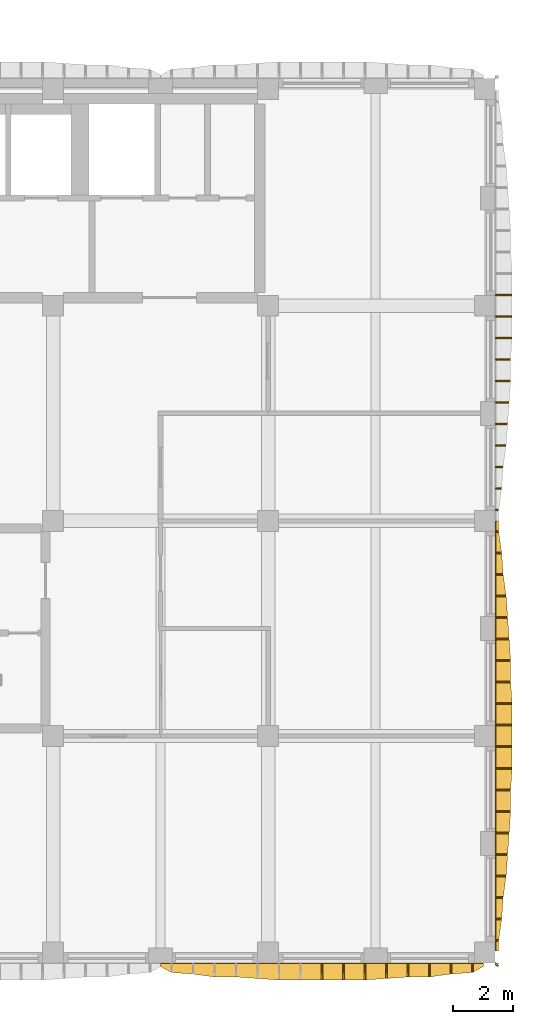
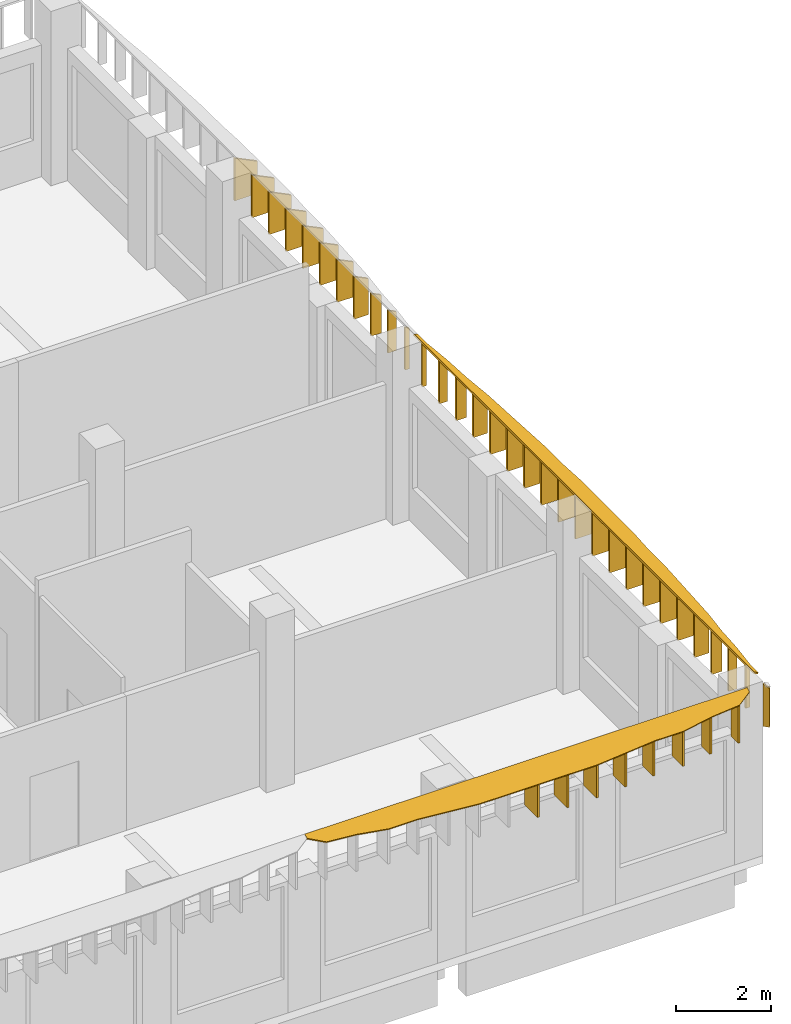
# One storey, part 22 of 38: 42 shading devices.
"""IFC4 building model written with IfcOpenShell, lengths in metres."""

import ifcopenshell
import ifcopenshell.guid

model = None  # the IFC model being written
_history = None  # IfcOwnerHistory: only IFC2X3 demands one
_inside = {}  # id of a spatial element -> (the spatial element, [elements in it])
_under = {}  # id of a project, library or spatial element -> (it, [spatial elements below it])
_declared = {}  # id of a project -> (the project, [libraries it declares])
_typed = {}  # id of a type object -> (the type object, [elements of that type])
_made_of = {}  # id of a material, layer set ... -> (it, [elements and type objects made of it])


def new_model(schema):
    """Start an empty IFC model of exactly this schema.

    Asked for "IFC4X3", IfcOpenShell would pick the latest addendum, in which some entities
    have other attributes; the version numbers below select the first issue.
    IFC2X3 requires an IfcOwnerHistory on every rooted entity: one is made here for all.
    """
    global model, _history
    if schema == "IFC4X3":
        model = ifcopenshell.file(schema_version=(4, 3, 0, 0))
    else:
        model = ifcopenshell.file(schema=schema)
    _inside.clear()
    _under.clear()
    _declared.clear()
    _typed.clear()
    _made_of.clear()
    _history = None
    if model.schema == "IFC2X3":
        org = make("IfcOrganization", Name="unknown")
        user = make(
            "IfcPersonAndOrganization",
            ThePerson=make("IfcPerson", FamilyName="unknown"),
            TheOrganization=org,
        )
        app = make(
            "IfcApplication",
            ApplicationDeveloper=org,
            Version="unknown",
            ApplicationFullName="unknown",
            ApplicationIdentifier="unknown",
        )
        _history = make(
            "IfcOwnerHistory",
            OwningUser=user,
            OwningApplication=app,
            ChangeAction="ADDED",
            CreationDate=0,
        )
    return model


def make(cls, **values):
    """One entity of the class cls with the attributes given. An attribute that is None is left unset."""
    return model.create_entity(
        cls, **{name: value for name, value in values.items() if value is not None}
    )


def rooted(cls, **values):
    """An entity with a GlobalId (a new one), such as an element, a storey or a relation."""
    return make(cls, GlobalId=ifcopenshell.guid.new(), OwnerHistory=_history, **values)


def si_unit(unit_type, name, prefix=None):
    """IfcSIUnit, for example si_unit("LENGTHUNIT", "METRE", prefix="MILLI")."""
    return make("IfcSIUnit", UnitType=unit_type, Prefix=prefix, Name=name)


def assignment(units):
    """IfcUnitAssignment: the units of a project."""
    return None if units is None else make("IfcUnitAssignment", Units=units)


def point(xyz):
    """IfcCartesianPoint."""
    return None if xyz is None else make("IfcCartesianPoint", Coordinates=xyz)


def direction(xyz):
    """IfcDirection."""
    return None if xyz is None else make("IfcDirection", DirectionRatios=xyz)


def frame(location, z_axis=None, x_axis=None):
    """IfcAxis2Placement3D, a coordinate frame: its origin and axes. An axis left out is left unset."""
    return make(
        "IfcAxis2Placement3D",
        Location=point(location),
        Axis=direction(z_axis),
        RefDirection=direction(x_axis),
    )


def origin():
    """The frame at (0, 0, 0) with its axes left unset."""
    return frame((0.0, 0.0, 0.0))


def place(relative_to, where):
    """IfcLocalPlacement: puts the frame where relative to a parent placement (None: the world)."""
    return make(
        "IfcLocalPlacement", PlacementRelTo=relative_to, RelativePlacement=where
    )


def context(
    kind, dimensions, precision=None, world=None, true_north=None, identifier=None
):
    """IfcGeometricRepresentationContext, for example the 3D "Model" context."""
    return make(
        "IfcGeometricRepresentationContext",
        ContextIdentifier=identifier,
        ContextType=kind,
        CoordinateSpaceDimension=dimensions,
        Precision=precision,
        WorldCoordinateSystem=world,
        TrueNorth=true_north,
    )


def subcontext(parent, identifier, kind, view, scale=None):
    """IfcGeometricRepresentationSubContext, for example "Body" below "Model"."""
    return make(
        "IfcGeometricRepresentationSubContext",
        ContextIdentifier=identifier,
        ContextType=kind,
        ParentContext=parent,
        TargetScale=scale,
        TargetView=view,
    )


def project(units=None, contexts=None):
    """IfcProject with its units and contexts."""
    return rooted(
        "IfcProject",
        Name="project",
        RepresentationContexts=contexts,
        UnitsInContext=assignment(units),
    )


def spatial(cls, under=None, at=None, **own):
    """A site, building, storey or space (cls), placed at a placement, below another one or the project."""
    s = rooted(cls, ObjectPlacement=at, **own)
    if under is not None:
        _under.setdefault(under.id(), (under, []))[1].append(s)
    return s


def polyline(points):
    """IfcPolyline through the points."""
    return make("IfcPolyline", Points=[point(p) for p in points])


def outline(outer, holes=None, kind="AREA"):
    """IfcArbitraryClosedProfileDef: a profile drawn as a closed curve; with holes, ...WithVoids."""
    if holes is None:
        return make("IfcArbitraryClosedProfileDef", ProfileType=kind, OuterCurve=outer)
    return make(
        "IfcArbitraryProfileDefWithVoids",
        ProfileType=kind,
        OuterCurve=outer,
        InnerCurves=holes,
    )


def extrude(swept, where, along, depth):
    """IfcExtrudedAreaSolid: the profile swept, set in the frame where, extruded along a direction by depth."""
    return make(
        "IfcExtrudedAreaSolid",
        SweptArea=swept,
        Position=where,
        ExtrudedDirection=direction(along),
        Depth=depth,
    )


def shape(context_of_items, identifier, shape_type, items):
    """IfcShapeRepresentation: the items that make up one representation, for example the "Body"."""
    return make(
        "IfcShapeRepresentation",
        ContextOfItems=context_of_items,
        RepresentationIdentifier=identifier,
        RepresentationType=shape_type,
        Items=items,
    )


def material(Name=None, Category=None):
    """IfcMaterial."""
    return make("IfcMaterial", Name=Name, Category=Category)


def layer(
    of_material, thickness, ventilated=None, Name=None, Category=None, Priority=None
):
    """IfcMaterialLayer: one layer of a wall or slab, of a material (None: an air gap)."""
    return make(
        "IfcMaterialLayer",
        Material=of_material,
        LayerThickness=thickness,
        IsVentilated=ventilated,
        Name=Name,
        Category=Category,
        Priority=Priority,
    )


def layer_set(layers, Name=None):
    """IfcMaterialLayerSet."""
    return make("IfcMaterialLayerSet", MaterialLayers=layers, LayerSetName=Name)


def made_of(thing, what):
    """Note that an element or type object is made of a material, layer set ...; save() writes the relation."""
    if what is not None:
        _made_of.setdefault(what.id(), (what, []))[1].append(thing)
    return thing


def type_object(cls, material=None, **own):
    """A type object (cls), such as IfcWallType, which elements share."""
    return made_of(rooted(cls, **own), material)


def element(
    cls,
    number,
    at=None,
    inside=None,
    cuts=None,
    type_object=None,
    material=None,
    context=None,
    identifier="Body",
    shape_type=None,
    held_by="IfcProductDefinitionShape",
    body=None,
    shapes=None,
    **own,
):
    """One element of the class cls, such as IfcWall. Its Tag is "e" and its number.

    at: its placement. inside: the storey or other place that contains it. cuts: it is an
    opening in that element (IfcRelVoidsElement). A single representation is given by context,
    identifier, shape_type and body (its items); several are given by shapes. held_by: the class
    of the entity that holds the representations. save() writes the other relations.
    """
    e = rooted(cls, Tag="e%d" % number, ObjectPlacement=at, **own)
    if body is not None:
        shapes = [shape(context, identifier, shape_type, body)]
    if shapes is not None:
        e.Representation = make(held_by, Representations=shapes)
    if inside is not None:
        _inside.setdefault(inside.id(), (inside, []))[1].append(e)
    if cuts is not None:
        rooted(
            "IfcRelVoidsElement", RelatingBuildingElement=cuts, RelatedOpeningElement=e
        )
    if type_object is not None:
        _typed.setdefault(type_object.id(), (type_object, []))[1].append(e)
    return made_of(e, material)


def aggregate(whole, parts):
    """IfcRelAggregates: a whole, such as a stair, and the parts it consists of."""
    return rooted("IfcRelAggregates", RelatingObject=whole, RelatedObjects=parts)


def save(model, path):
    """Write the relations noted so far, then the file.

    IfcRelAggregates (storeys below a building ...), IfcRelContainedInSpatialStructure (elements
    in a storey), IfcRelDefinesByType, IfcRelAssociatesMaterial and IfcRelDeclares: one each for
    every whole, place, type object, material and project.
    """
    for whole, parts in _under.values():
        aggregate(whole, parts)
    for where, things in _inside.values():
        rooted(
            "IfcRelContainedInSpatialStructure",
            RelatedElements=things,
            RelatingStructure=where,
        )
    for kind, things in _typed.values():
        rooted("IfcRelDefinesByType", RelatedObjects=things, RelatingType=kind)
    for what, things in _made_of.values():
        rooted("IfcRelAssociatesMaterial", RelatedObjects=things, RelatingMaterial=what)
    for by, libraries in _declared.values():
        rooted("IfcRelDeclares", RelatingContext=by, RelatedDefinitions=libraries)
    model.write(path)


model = new_model("IFC4")

# Units and contexts
model_context = context("Model", 3, precision=1e-05, world=origin(), true_north=direction((0.0, 1.0)))
body_context = subcontext(model_context, "Body", "Model", "MODEL_VIEW")
ifc_project = project(units=[si_unit("LENGTHUNIT", "METRE"), si_unit("AREAUNIT", "SQUARE_METRE"), si_unit("VOLUMEUNIT", "CUBIC_METRE"), si_unit("PLANEANGLEUNIT", "RADIAN"), si_unit("MASSUNIT", "GRAM", prefix="KILO")], contexts=[model_context])

# Site, building, storey
site_placement = place(None, origin())
site = spatial("IfcSite", under=ifc_project, at=site_placement, CompositionType="ELEMENT")
building_placement = place(site_placement, origin())
building = spatial("IfcBuilding", under=site, at=building_placement, Name="Ussher Court Research Institute", CompositionType="ELEMENT")
storey_placement = place(building_placement, frame((0.0, 0.0, 23.39990234375)))
storey = spatial("IfcBuildingStorey", under=building, at=storey_placement, Name="L05", CompositionType="ELEMENT", Elevation=23.39990234375)

# Shading devices
ifc_material_1 = material(Name="Bronze anodised aluminium", Category="aluminium")
ifc_layer_1 = layer(ifc_material_1, 0.050048828125)
ifc_layer_set_1 = layer_set([ifc_layer_1], Name="Bronze anodised aluminium")
shading_device_type_1 = type_object("IfcShadingDeviceType", Name="Brim blade 100 mm deep 1100 mm high canted 26 deg wet", PredefinedType="USERDEFINED", material=ifc_layer_set_1)
for number, where, z_axis, x_axis, name in (
    (1, (104.199951171875, 18.760009765625, 3.35009765625), (0.0, 0.0, 1.0), (1.0, 0.0, 0.0), "Brim blade BS10 L05"),
    (2, (104.199951171875, 18.0400390625, 3.35009765625), (0.0, 0.0, 1.0), (1.0, 0.0, 0.0), "Brim blade BS10 L05"),
    (3, (104.199951171875, 4.360107421875, 3.35009765625), (0.0, 0.0, 1.0), (1.0, 0.0, 0.0), "Brim blade BS10 L05"),
):
    element("IfcShadingDevice", number, at=place(storey_placement, frame(where, z_axis=z_axis, x_axis=x_axis)), inside=storey, type_object=shading_device_type_1, Name=name, ObjectType="BLADE", PredefinedType="USERDEFINED", context=body_context, shape_type="SweptSolid", body=[
        extrude(outline(polyline([(0.0, 0.0), (0.10009765625, 0.0), (0.10009765625, 1.05126953125), (0.0, 1.10009765625), (0.0, 0.0)])), frame((0.0, 0.02490234375, 0.0), z_axis=(0.0, -1.0, 0.0), x_axis=(1.0, 0.0, 0.0)), (0.0, 0.0, 1.0), 0.050048828125),
    ])
ifc_material_2 = material(Name="Bronze anodised aluminium", Category="aluminium")
ifc_layer_2 = layer(ifc_material_2, 0.050048828125)
ifc_layer_set_2 = layer_set([ifc_layer_2], Name="Bronze anodised aluminium")
shading_device_type_2 = type_object("IfcShadingDeviceType", Name="Brim blade 200 mm deep 1100 mm high canted 26 deg wet", PredefinedType="USERDEFINED", material=ifc_layer_set_2)
for number, where, z_axis, x_axis, name in (
    (4, (104.199951171875, 19.47998046875, 3.35009765625), (0.0, 0.0, 1.0), (1.0, 0.0, 0.0), "Brim blade BS08 L05"),
    (5, (104.199951171875, 17.320068359375, 3.35009765625), (0.0, 0.0, 1.0), (1.0, 0.0, 0.0), "Brim blade BS08 L05"),
    (6, (104.199951171875, 5.080078125, 3.35009765625), (0.0, 0.0, 1.0), (1.0, 0.0, 0.0), "Brim blade BS08 L05"),
):
    element("IfcShadingDevice", number, at=place(storey_placement, frame(where, z_axis=z_axis, x_axis=x_axis)), inside=storey, type_object=shading_device_type_2, Name=name, ObjectType="BLADE", PredefinedType="USERDEFINED", context=body_context, shape_type="SweptSolid", body=[
        extrude(outline(polyline([(0.0, 0.0), (0.199951171875, 0.0), (0.199951171875, 1.00244140625), (0.0, 1.10009765625), (0.0, 0.0)])), frame((0.0, 0.02490234375, 0.0), z_axis=(0.0, -1.0, 0.0), x_axis=(1.0, 0.0, 0.0)), (0.0, 0.0, 1.0), 0.050048828125),
    ])
ifc_material_3 = material(Name="Bronze anodised aluminium", Category="aluminium")
ifc_layer_3 = layer(ifc_material_3, 0.050048828125)
ifc_layer_set_3 = layer_set([ifc_layer_3], Name="Bronze anodised aluminium")
shading_device_type_3 = type_object("IfcShadingDeviceType", Name="Brim blade 250 mm deep 1100 mm high canted 26 deg wet", PredefinedType="USERDEFINED", material=ifc_layer_set_3)
for number, where, z_axis, x_axis, name in (
    (7, (104.199951171875, 20.199951171875, 3.35009765625), (0.0, 0.0, 1.0), (1.0, 0.0, 0.0), "Brim blade BS07 L05"),
    (8, (104.199951171875, 16.60009765625, 3.35009765625), (0.0, 0.0, 1.0), (1.0, 0.0, 0.0), "Brim blade BS07 L05"),
    (9, (104.199951171875, 5.800048828125, 3.35009765625), (0.0, 0.0, 1.0), (1.0, 0.0, 0.0), "Brim blade BS07 L05"),
):
    element("IfcShadingDevice", number, at=place(storey_placement, frame(where, z_axis=z_axis, x_axis=x_axis)), inside=storey, type_object=shading_device_type_3, Name=name, ObjectType="BLADE", PredefinedType="USERDEFINED", context=body_context, shape_type="SweptSolid", body=[
        extrude(outline(polyline([(0.0, 0.0), (0.25, 0.0), (0.25, 0.97802734375), (0.0, 1.10009765625), (0.0, 0.0)])), frame((0.0, 0.02490234375, 0.0), z_axis=(0.0, -1.0, 0.0), x_axis=(1.0, 0.0, 0.0)), (0.0, 0.0, 1.0), 0.050048828125),
    ])
ifc_material_4 = material(Name="Bronze anodised aluminium", Category="aluminium")
ifc_layer_4 = layer(ifc_material_4, 0.050048828125)
ifc_layer_set_4 = layer_set([ifc_layer_4], Name="Bronze anodised aluminium")
shading_device_type_4 = type_object("IfcShadingDeviceType", Name="Brim blade 300 mm deep 1100 mm high canted 26 deg wet", PredefinedType="USERDEFINED", material=ifc_layer_set_4)
shading_device_1_placement = place(storey_placement, frame((103.43994140625, 3.60009765625, 3.35009765625), z_axis=(0.0, 0.0, 1.0), x_axis=(0.0, -1.0, 0.0)))
element("IfcShadingDevice", 10, at=shading_device_1_placement, inside=storey, type_object=shading_device_type_4, Name="Brim blade BS06 L05", ObjectType="BLADE", PredefinedType="USERDEFINED", context=body_context, shape_type="SweptSolid", body=[
    extrude(outline(polyline([(0.0, 0.0), (0.300048828125, 0.0), (0.300048828125, 0.95361328125), (0.0, 1.10009765625), (0.0, 0.0)])), frame((0.0, 0.02490234375, 0.0), z_axis=(0.0, -1.0, 0.0), x_axis=(1.0, 0.0, 0.0)), (0.0, 0.0, 1.0), 0.050048828125),
])
ifc_material_5 = material(Name="Bronze anodised aluminium", Category="aluminium")
ifc_layer_5 = layer(ifc_material_5, 0.050048828125)
ifc_layer_set_5 = layer_set([ifc_layer_5], Name="Bronze anodised aluminium")
shading_device_type_5 = type_object("IfcShadingDeviceType", Name="Brim blade 350 mm deep 1100 mm high canted 26 deg wet", PredefinedType="USERDEFINED", material=ifc_layer_set_5)
for number, where, z_axis, x_axis, name in (
    (11, (104.199951171875, 20.919921875, 3.35009765625), (0.0, 0.0, 1.0), (1.0, 0.0, 0.0), "Brim blade BS05 L05"),
    (12, (104.199951171875, 15.8798828125, 3.35009765625), (0.0, 0.0, 1.0), (1.0, 0.0, 0.0), "Brim blade BS05 L05"),
    (13, (104.199951171875, 6.52001953125, 3.35009765625), (0.0, 0.0, 1.0), (1.0, 0.0, 0.0), "Brim blade BS05 L05"),
    (14, (102.719970703125, 3.60009765625, 3.35009765625), (0.0, 0.0, 1.0), (0.0, -1.0, 0.0), "Brim blade BS05 L05"),
):
    element("IfcShadingDevice", number, at=place(storey_placement, frame(where, z_axis=z_axis, x_axis=x_axis)), inside=storey, type_object=shading_device_type_5, Name=name, ObjectType="BLADE", PredefinedType="USERDEFINED", context=body_context, shape_type="SweptSolid", body=[
        extrude(outline(polyline([(0.0, 0.0), (0.35009765625, 0.0), (0.35009765625, 0.92919921875), (0.0, 1.10009765625), (0.0, 0.0)])), frame((0.0, 0.02490234375, 0.0), z_axis=(0.0, -1.0, 0.0), x_axis=(1.0, 0.0, 0.0)), (0.0, 0.0, 1.0), 0.050048828125),
    ])
ifc_material_6 = material(Name="Bronze anodised aluminium", Category="aluminium")
ifc_layer_6 = layer(ifc_material_6, 0.050048828125)
ifc_layer_set_6 = layer_set([ifc_layer_6], Name="Bronze anodised aluminium")
shading_device_type_6 = type_object("IfcShadingDeviceType", Name="Brim blade 400 mm deep 1100 mm high canted 26 deg wet", PredefinedType="USERDEFINED", material=ifc_layer_set_6)
for number, where, z_axis, x_axis, name in (
    (15, (104.199951171875, 21.639892578125, 3.35009765625), (0.0, 0.0, 1.0), (1.0, 0.0, 0.0), "Brim blade BS04 L05"),
    (16, (104.199951171875, 15.159912109375, 3.35009765625), (0.0, 0.0, 1.0), (1.0, 0.0, 0.0), "Brim blade BS04 L05"),
    (17, (104.199951171875, 7.239990234375, 3.35009765625), (0.0, 0.0, 1.0), (1.0, 0.0, 0.0), "Brim blade BS04 L05"),
):
    element("IfcShadingDevice", number, at=place(storey_placement, frame(where, z_axis=z_axis, x_axis=x_axis)), inside=storey, type_object=shading_device_type_6, Name=name, ObjectType="BLADE", PredefinedType="USERDEFINED", context=body_context, shape_type="SweptSolid", body=[
        extrude(outline(polyline([(0.0, 0.0), (0.400146484375, 0.0), (0.39990234375, 0.90478515625), (0.0, 1.10009765625), (0.0, 0.0)])), frame((0.0, 0.02490234375, 0.0), z_axis=(0.0, -1.0, 0.0), x_axis=(1.0, 0.0, 0.0)), (0.0, 0.0, 1.0), 0.050048828125),
    ])
ifc_material_7 = material(Name="Bronze anodised aluminium", Category="aluminium")
ifc_layer_7 = layer(ifc_material_7, 0.050048828125)
ifc_layer_set_7 = layer_set([ifc_layer_7], Name="Bronze anodised aluminium")
shading_device_type_7 = type_object("IfcShadingDeviceType", Name="Brim blade 450 mm deep 1100 mm high canted 26 deg wet", PredefinedType="USERDEFINED", material=ifc_layer_set_7)
for number, where, z_axis, x_axis, name in (
    (18, (104.199951171875, 22.360107421875, 3.35009765625), (0.0, 0.0, 1.0), (1.0, 0.0, 0.0), "Brim blade BS03 L05"),
    (19, (104.199951171875, 14.43994140625, 3.35009765625), (0.0, 0.0, 1.0), (1.0, 0.0, 0.0), "Brim blade BS03 L05"),
    (20, (104.199951171875, 7.9599609375, 3.35009765625), (0.0, 0.0, 1.0), (1.0, 0.0, 0.0), "Brim blade BS03 L05"),
):
    element("IfcShadingDevice", number, at=place(storey_placement, frame(where, z_axis=z_axis, x_axis=x_axis)), inside=storey, type_object=shading_device_type_7, Name=name, ObjectType="BLADE", PredefinedType="USERDEFINED", context=body_context, shape_type="SweptSolid", body=[
        extrude(outline(polyline([(0.0, 0.0), (0.449951171875, 0.0), (0.449951171875, 0.880615234375), (0.0, 1.10009765625), (0.0, 0.0)])), frame((0.0, 0.02490234375, 0.0), z_axis=(0.0, -1.0, 0.0), x_axis=(1.0, 0.0, 0.0)), (0.0, 0.0, 1.0), 0.050048828125),
    ])
for number, where, z_axis, x_axis, name in (
    (21, (102.0, 3.60009765625, 3.35009765625), (0.0, 0.0, 1.0), (0.0, -1.0, 0.0), "Brim blade BS03 L05"),
    (22, (101.280029296875, 3.60009765625, 3.35009765625), (0.0, 0.0, 1.0), (0.0, -1.0, 0.0), "Brim blade BS03 L05"),
):
    element("IfcShadingDevice", number, at=place(storey_placement, frame(where, z_axis=z_axis, x_axis=x_axis)), inside=storey, type_object=shading_device_type_7, Name=name, ObjectType="BLADE", PredefinedType="USERDEFINED", context=body_context, shape_type="SweptSolid", body=[
        extrude(outline(polyline([(0.0, 0.0), (0.4501953125, 0.0), (0.449951171875, 0.880615234375), (0.0, 1.10009765625), (0.0, 0.0)])), frame((0.0, 0.02490234375, 0.0), z_axis=(0.0, -1.0, 0.0), x_axis=(1.0, 0.0, 0.0)), (0.0, 0.0, 1.0), 0.050048828125),
    ])
ifc_material_8 = material(Name="Bronze anodised aluminium", Category="aluminium")
ifc_layer_8 = layer(ifc_material_8, 0.050048828125)
ifc_layer_set_8 = layer_set([ifc_layer_8], Name="Bronze anodised aluminium")
shading_device_type_8 = type_object("IfcShadingDeviceType", Name="Brim blade 500 mm deep 1100 mm high canted 26 deg wet", PredefinedType="USERDEFINED", material=ifc_layer_set_8)
for number, where, z_axis, x_axis, name in (
    (23, (104.199951171875, 23.800048828125, 3.35009765625), (0.0, 0.0, 1.0), (1.0, 0.0, 0.0), "Brim blade BS02 L05"),
    (24, (104.199951171875, 23.080078125, 3.35009765625), (0.0, 0.0, 1.0), (1.0, 0.0, 0.0), "Brim blade BS02 L05"),
    (25, (104.199951171875, 13.719970703125, 3.35009765625), (0.0, 0.0, 1.0), (1.0, 0.0, 0.0), "Brim blade BS02 L05"),
    (26, (104.199951171875, 13.0, 3.35009765625), (0.0, 0.0, 1.0), (1.0, 0.0, 0.0), "Brim blade BS02 L05"),
    (27, (104.199951171875, 9.39990234375, 3.35009765625), (0.0, 0.0, 1.0), (1.0, 0.0, 0.0), "Brim blade BS02 L05"),
    (28, (104.199951171875, 8.679931640625, 3.35009765625), (0.0, 0.0, 1.0), (1.0, 0.0, 0.0), "Brim blade BS02 L05"),
    (29, (100.56005859375, 3.60009765625, 3.35009765625), (0.0, 0.0, 1.0), (0.0, -1.0, 0.0), "Brim blade BS02 L05"),
):
    element("IfcShadingDevice", number, at=place(storey_placement, frame(where, z_axis=z_axis, x_axis=x_axis)), inside=storey, type_object=shading_device_type_8, Name=name, ObjectType="BLADE", PredefinedType="USERDEFINED", context=body_context, shape_type="SweptSolid", body=[
        extrude(outline(polyline([(0.0, 0.0), (0.5, 0.0), (0.5, 0.856201171875), (0.0, 1.10009765625), (0.0, 0.0)])), frame((0.0, 0.02490234375, 0.0), z_axis=(0.0, -1.0, 0.0), x_axis=(1.0, 0.0, 0.0)), (0.0, 0.0, 1.0), 0.050048828125),
    ])
ifc_material_9 = material(Name="Bronze anodised aluminium", Category="aluminium")
ifc_layer_9 = layer(ifc_material_9, 0.050048828125)
ifc_layer_set_9 = layer_set([ifc_layer_9], Name="Bronze anodised aluminium")
shading_device_type_9 = type_object("IfcShadingDeviceType", Name="Brim blade 550 mm deep 1100 mm high canted 26 deg wet", PredefinedType="USERDEFINED", material=ifc_layer_set_9)
for number, where, z_axis, x_axis, name in (
    (30, (104.199951171875, 25.9599609375, 3.35009765625), (0.0, 0.0, 1.0), (1.0, 0.0, 0.0), "Brim blade BS01 L05"),
    (31, (104.199951171875, 25.239990234375, 3.35009765625), (0.0, 0.0, 1.0), (1.0, 0.0, 0.0), "Brim blade BS01 L05"),
    (32, (104.199951171875, 24.52001953125, 3.35009765625), (0.0, 0.0, 1.0), (1.0, 0.0, 0.0), "Brim blade BS01 L05"),
    (33, (104.199951171875, 12.280029296875, 3.35009765625), (0.0, 0.0, 1.0), (1.0, 0.0, 0.0), "Brim blade BS01 L05"),
    (34, (104.199951171875, 11.56005859375, 3.35009765625), (0.0, 0.0, 1.0), (1.0, 0.0, 0.0), "Brim blade BS01 L05"),
    (35, (104.199951171875, 10.840087890625, 3.35009765625), (0.0, 0.0, 1.0), (1.0, 0.0, 0.0), "Brim blade BS01 L05"),
    (36, (104.199951171875, 10.1201171875, 3.35009765625), (0.0, 0.0, 1.0), (1.0, 0.0, 0.0), "Brim blade BS01 L05"),
    (37, (99.840087890625, 3.60009765625, 3.35009765625), (0.0, 0.0, 1.0), (0.0, -1.0, 0.0), "Brim blade BS01 L05"),
    (38, (99.1201171875, 3.60009765625, 3.35009765625), (0.0, 0.0, 1.0), (0.0, -1.0, 0.0), "Brim blade BS01 L05"),
    (39, (98.39990234375, 3.60009765625, 3.35009765625), (0.0, 0.0, 1.0), (0.0, -1.0, 0.0), "Brim blade BS01 L05"),
):
    element("IfcShadingDevice", number, at=place(storey_placement, frame(where, z_axis=z_axis, x_axis=x_axis)), inside=storey, type_object=shading_device_type_9, Name=name, ObjectType="BLADE", PredefinedType="USERDEFINED", context=body_context, shape_type="SweptSolid", body=[
        extrude(outline(polyline([(0.0, 0.0), (0.550048828125, 0.0), (0.550048828125, 0.831787109375), (0.0, 1.10009765625), (0.0, 0.0)])), frame((0.0, 0.02490234375, 0.0), z_axis=(0.0, -1.0, 0.0), x_axis=(1.0, 0.0, 0.0)), (0.0, 0.0, 1.0), 0.050048828125),
    ])
ifc_material_10 = material(Name="Bronze anodised aluminium", Category="aluminium")
ifc_layer_10 = layer(ifc_material_10, 0.050048828125)
ifc_layer_set_10 = layer_set([ifc_layer_10], Name="Bronze anodised aluminium")
shading_device_type_10 = type_object("IfcShadingDeviceType", Name="Brim mitre blade 100 mm deep 1100 mm high canted 26 deg wet", PredefinedType="USERDEFINED", material=ifc_layer_set_10)
shading_device_2_placement = place(storey_placement, frame((104.199951171875, 3.60009765625, 3.35009765625), z_axis=(0.0, 0.0, 1.0), x_axis=(0.707106781187, -0.707106781187, 0.0)))
element("IfcShadingDevice", 40, at=shading_device_2_placement, inside=storey, type_object=shading_device_type_10, Name="Brim mitre blade BS18 L05", ObjectType="BLADE", PredefinedType="USERDEFINED", context=body_context, shape_type="SweptSolid", body=[
    extrude(outline(polyline([(0.0, 0.0), (0.1416015625, 0.0), (0.141357421875, 1.00244140625), (0.0, 1.10009765625), (0.0, 0.0)])), frame((0.0, 0.02490234375, 0.0), z_axis=(0.0, -1.0, 0.0), x_axis=(1.0, 0.0, 0.0)), (0.0, 0.0, 1.0), 0.050048828125),
])
ifc_material_11 = material(Name="Bronze anodised aluminium", Category="aluminium")
ifc_layer_11 = layer(ifc_material_11, 0.0400390625)
ifc_layer_set_11 = layer_set([ifc_layer_11], Name="Bronze anodised aluminium")
shading_device_type_11 = type_object("IfcShadingDeviceType", Name="Brim visor sheet 40 mm canted 26 deg wet", PredefinedType="USERDEFINED", material=ifc_layer_set_11)
shading_device_3_placement = place(storey_placement, frame((104.217529296875, 18.39990234375, 4.486083984375), z_axis=(0.438529187419, 0.0, 0.898716947532), x_axis=(0.0, -1.0, 0.0)))
element("IfcShadingDevice", 41, at=shading_device_3_placement, inside=storey, type_object=shading_device_type_11, Name="Brim visor sheet BR1 L05", ObjectType="BRIM", PredefinedType="USERDEFINED", context=body_context, shape_type="SweptSolid", body=[
    extrude(outline(polyline([(0.0, 0.0), (14.39990234375, 0.0), (14.39990234375, 0.11115260474230423), (14.039794921875, 0.11115260474230423), (13.31982421875, 0.22252462280187707), (12.599853515625, 0.2782106318316635), (11.8798828125, 0.38936323657396776), (11.159912109375, 0.4449421828138569), (10.43994140625, 0.5006281918436433), (9.719970703125, 0.5563142008734296), (9.0, 0.5563142008734296), (8.27978515625, 0.6120002099032161), (7.559814453125, 0.6120002099032161), (6.83984375, 0.6120002099032161), (6.119873046875, 0.6120002099032161), (5.39990234375, 0.5563142008734296), (4.679931640625, 0.5563142008734296), (3.9599609375, 0.5006281918436433), (3.239990234375, 0.4449421828138569), (2.52001953125, 0.38936323657396776), (1.7998046875, 0.2782106318316635), (1.079833984375, 0.22252462280187707), (0.35986328125, 0.11115260474230423), (0.0, 0.11115260474230423), (0.0, 0.0)])), origin(), (0.0, 0.0, -1.0), 0.0400390625),
])
shading_device_4_placement = place(storey_placement, frame((103.800048828125, 3.58251953125, 4.486083984375), z_axis=(0.0, -0.438461416816, 0.898750013054), x_axis=(-1.0, 0.0, 0.0)))
element("IfcShadingDevice", 42, at=shading_device_4_placement, inside=storey, type_object=shading_device_type_11, Name="Brim visor sheet BR1 L05", ObjectType="BRIM", PredefinedType="USERDEFINED", context=body_context, shape_type="SweptSolid", body=[
    extrude(outline(polyline([(0.0, 0.0), (10.800048828125, 0.0), (10.800048828125, 0.1113720187292832), (10.43994140625, 0.33389663479794396), (9.719970703125, 0.38958264416258553), (9.0, 0.5006281952576233), (8.280029296875, 0.5006281952576233), (7.56005859375, 0.5563142046222649), (6.840087890625, 0.6120002139869065), (6.1201171875, 0.6120002139869065), (5.400146484375, 0.6120002139869065), (4.679931640625, 0.6120002139869065), (3.9599609375, 0.6120002139869065), (3.239990234375, 0.5563142046222649), (2.52001953125, 0.5006281952576233), (1.800048828125, 0.5006281952576233), (1.080078125, 0.38958264416258553), (0.360107421875, 0.33389663479794396), (0.0, 0.1113720187292832), (0.0, 0.0)])), origin(), (0.0, 0.0, -1.0), 0.0400390625),
])

save(model, "model.ifc")
